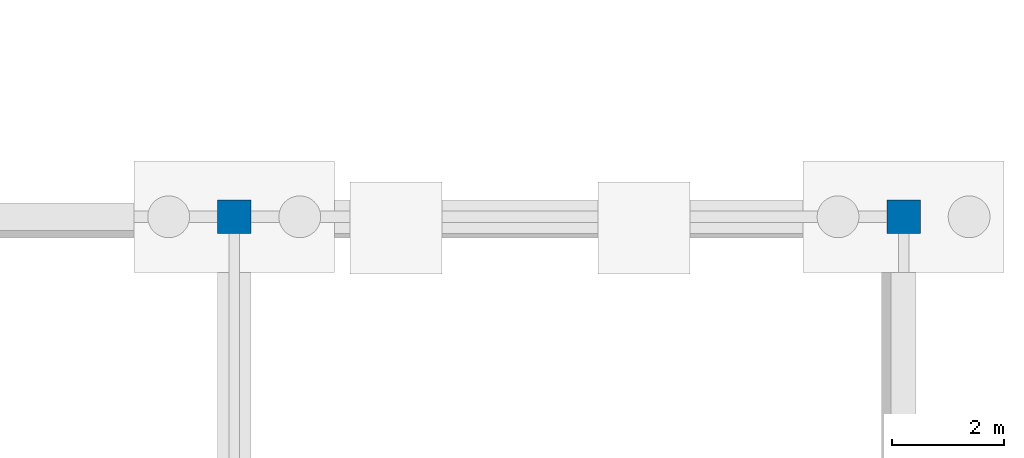
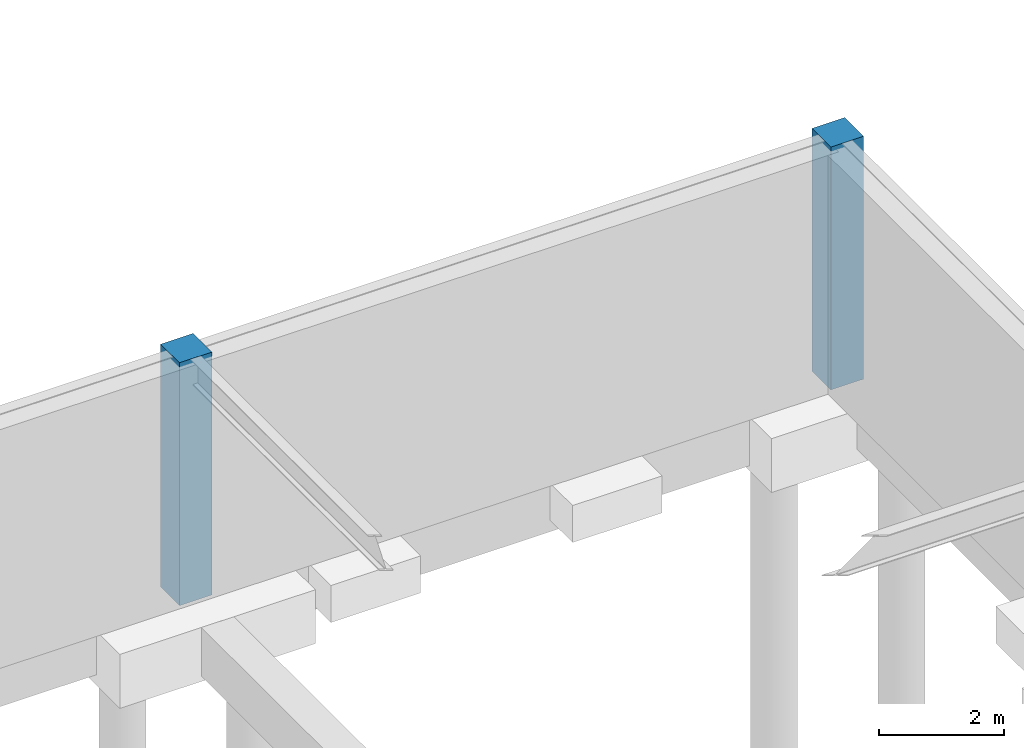
# One storey, part 50 of 75: 2 columns.
"""IFC4 building model written with IfcOpenShell, lengths in metres."""

from ifc_helpers import new_model, si_unit, derived_unit, direction, frame, origin, origin_2d_with_axis, place, context, subcontext, project, spatial, rectangle, extrude, material, material_profile, profile_set, type_object, element, save


model = new_model("IFC4")

# Units and contexts
model_context = context("Model", 3, precision=1e-05, world=origin(), true_north=direction((0.0, 1.0)))
body_context = subcontext(model_context, "Body", "Model", "MODEL_VIEW")
ifc_project = project(units=[si_unit("LENGTHUNIT", "METRE"), si_unit("AREAUNIT", "SQUARE_METRE"), si_unit("VOLUMEUNIT", "CUBIC_METRE"), si_unit("PLANEANGLEUNIT", "RADIAN"), si_unit("MASSUNIT", "GRAM", prefix="KILO"), derived_unit("THERMALTRANSMITTANCEUNIT", [(si_unit("POWERUNIT", "WATT"), 1), (si_unit("LENGTHUNIT", "METRE"), -2), (si_unit("THERMODYNAMICTEMPERATUREUNIT", "KELVIN"), -1)])], contexts=[model_context])

# Site, building, storey
site_placement = place(None, origin())
site = spatial("IfcSite", under=ifc_project, at=site_placement, CompositionType="ELEMENT")
building_placement = place(site_placement, origin())
building = spatial("IfcBuilding", under=site, at=building_placement, Name="Cinnabar Yard Market Hall", CompositionType="ELEMENT")
storey_placement = place(building_placement, frame((0.0, 0.0, -4.5)))
storey = spatial("IfcBuildingStorey", under=building, at=storey_placement, Name="B1", CompositionType="ELEMENT", Elevation=-4.5)

# Columns
ifc_material = material(Name="Concrete 40 MPa", Category="concrete")
ifc_material_profile = material_profile(ifc_material, rectangle(XDim=0.60009765625, YDim=0.60009765625, at=origin_2d_with_axis()), Name="RC-600x600")
ifc_profile_set = profile_set([ifc_material_profile], Name="Concrete 40 MPa")
column_type = type_object("IfcColumnType", Name="COL-RC2", PredefinedType="COLUMN", material=ifc_profile_set)
for number, where, z_axis, x_axis, name in (
    (1, (202.0, 74.0, -0.449951171875), (0.0, 0.0, 1.0), (1.0, 0.0, 0.0), "Service Yard Substructure Pier V4Y-03-03"),
    (2, (214.0, 74.0, -0.449951171875), (0.0, 0.0, 1.0), (1.0, 0.0, 0.0), "Service Yard Substructure Pier V4Y-04-03"),
):
    element("IfcColumn", number, at=place(storey_placement, frame(where, z_axis=z_axis, x_axis=x_axis)), inside=storey, type_object=column_type, Name=name, PredefinedType="COLUMN", context=body_context, shape_type="SweptSolid", body=[
        extrude(rectangle(XDim=0.60009765625, YDim=0.60009765625, at=origin_2d_with_axis()), origin(), (0.0, 0.0, 1.0), 4.72998046875),
    ])

save(model, "model.ifc")
